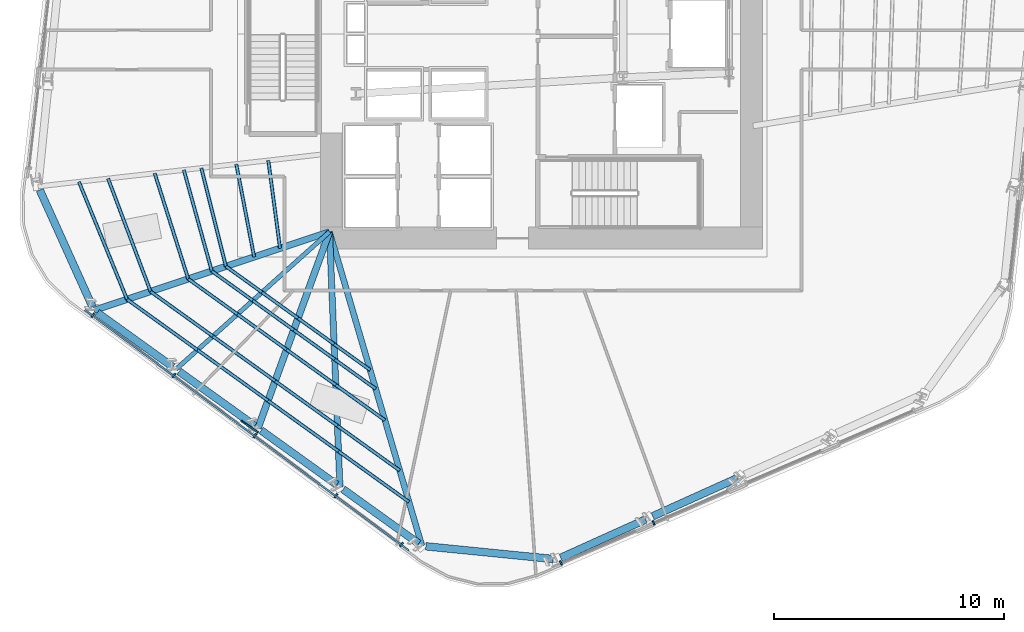
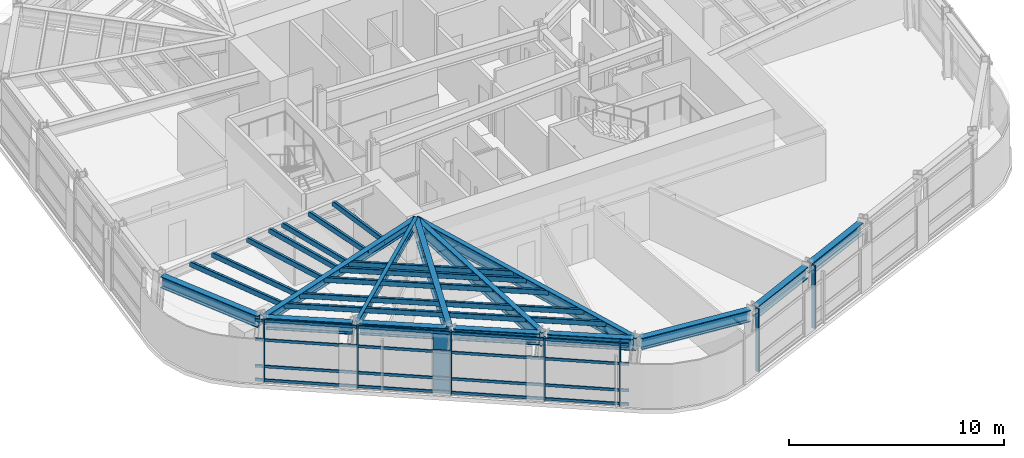
# One storey, part 2 of 16: 39 members, 13 beams, 2 elements without a shape of their own.
"""IFC4 building model written with IfcOpenShell, lengths in metres."""

import ifcopenshell
import ifcopenshell.guid

model = None  # the IFC model being written
_history = None  # IfcOwnerHistory: only IFC2X3 demands one
_inside = {}  # id of a spatial element -> (the spatial element, [elements in it])
_under = {}  # id of a project, library or spatial element -> (it, [spatial elements below it])
_declared = {}  # id of a project -> (the project, [libraries it declares])
_typed = {}  # id of a type object -> (the type object, [elements of that type])
_made_of = {}  # id of a material, layer set ... -> (it, [elements and type objects made of it])


def new_model(schema):
    """Start an empty IFC model of exactly this schema.

    Asked for "IFC4X3", IfcOpenShell would pick the latest addendum, in which some entities
    have other attributes; the version numbers below select the first issue.
    IFC2X3 requires an IfcOwnerHistory on every rooted entity: one is made here for all.
    """
    global model, _history
    if schema == "IFC4X3":
        model = ifcopenshell.file(schema_version=(4, 3, 0, 0))
    else:
        model = ifcopenshell.file(schema=schema)
    _inside.clear()
    _under.clear()
    _declared.clear()
    _typed.clear()
    _made_of.clear()
    _history = None
    if model.schema == "IFC2X3":
        org = make("IfcOrganization", Name="unknown")
        user = make(
            "IfcPersonAndOrganization",
            ThePerson=make("IfcPerson", FamilyName="unknown"),
            TheOrganization=org,
        )
        app = make(
            "IfcApplication",
            ApplicationDeveloper=org,
            Version="unknown",
            ApplicationFullName="unknown",
            ApplicationIdentifier="unknown",
        )
        _history = make(
            "IfcOwnerHistory",
            OwningUser=user,
            OwningApplication=app,
            ChangeAction="ADDED",
            CreationDate=0,
        )
    return model


def make(cls, **values):
    """One entity of the class cls with the attributes given. An attribute that is None is left unset."""
    return model.create_entity(
        cls, **{name: value for name, value in values.items() if value is not None}
    )


def rooted(cls, **values):
    """An entity with a GlobalId (a new one), such as an element, a storey or a relation."""
    return make(cls, GlobalId=ifcopenshell.guid.new(), OwnerHistory=_history, **values)


def si_unit(unit_type, name, prefix=None):
    """IfcSIUnit, for example si_unit("LENGTHUNIT", "METRE", prefix="MILLI")."""
    return make("IfcSIUnit", UnitType=unit_type, Prefix=prefix, Name=name)


def assignment(units):
    """IfcUnitAssignment: the units of a project."""
    return None if units is None else make("IfcUnitAssignment", Units=units)


def point(xyz):
    """IfcCartesianPoint."""
    return None if xyz is None else make("IfcCartesianPoint", Coordinates=xyz)


def direction(xyz):
    """IfcDirection."""
    return None if xyz is None else make("IfcDirection", DirectionRatios=xyz)


def frame(location, z_axis=None, x_axis=None):
    """IfcAxis2Placement3D, a coordinate frame: its origin and axes. An axis left out is left unset."""
    return make(
        "IfcAxis2Placement3D",
        Location=point(location),
        Axis=direction(z_axis),
        RefDirection=direction(x_axis),
    )


def frame_2d(location, x_axis=None):
    """IfcAxis2Placement2D, a coordinate frame in the plane: its origin and x axis."""
    return make(
        "IfcAxis2Placement2D", Location=point(location), RefDirection=direction(x_axis)
    )


def origin():
    """The frame at (0, 0, 0) with its axes left unset."""
    return frame((0.0, 0.0, 0.0))


def origin_2d():
    """The frame at (0, 0) in the plane with its x axis left unset."""
    return frame_2d((0.0, 0.0))


def place(relative_to, where):
    """IfcLocalPlacement: puts the frame where relative to a parent placement (None: the world)."""
    return make(
        "IfcLocalPlacement", PlacementRelTo=relative_to, RelativePlacement=where
    )


def context(
    kind, dimensions, precision=None, world=None, true_north=None, identifier=None
):
    """IfcGeometricRepresentationContext, for example the 3D "Model" context."""
    return make(
        "IfcGeometricRepresentationContext",
        ContextIdentifier=identifier,
        ContextType=kind,
        CoordinateSpaceDimension=dimensions,
        Precision=precision,
        WorldCoordinateSystem=world,
        TrueNorth=true_north,
    )


def subcontext(parent, identifier, kind, view, scale=None):
    """IfcGeometricRepresentationSubContext, for example "Body" below "Model"."""
    return make(
        "IfcGeometricRepresentationSubContext",
        ContextIdentifier=identifier,
        ContextType=kind,
        ParentContext=parent,
        TargetScale=scale,
        TargetView=view,
    )


def project(units=None, contexts=None):
    """IfcProject with its units and contexts."""
    return rooted(
        "IfcProject",
        Name="project",
        RepresentationContexts=contexts,
        UnitsInContext=assignment(units),
    )


def spatial(cls, under=None, at=None, **own):
    """A site, building, storey or space (cls), placed at a placement, below another one or the project."""
    s = rooted(cls, ObjectPlacement=at, **own)
    if under is not None:
        _under.setdefault(under.id(), (under, []))[1].append(s)
    return s


def profile(cls, at=None, kind="AREA", **sizes):
    """A parametric profile (cls). Its sizes go by their IFC names, for example OverallWidth=200.0."""
    return make(cls, ProfileType=kind, Position=at, **sizes)


def rectangle(**sizes):
    """IfcRectangleProfileDef."""
    return profile("IfcRectangleProfileDef", **sizes)


def hollow_rectangle(**sizes):
    """IfcRectangleHollowProfileDef."""
    return profile("IfcRectangleHollowProfileDef", **sizes)


def i_section(**sizes):
    """IfcIShapeProfileDef."""
    return profile("IfcIShapeProfileDef", **sizes)


def extrude(swept, where, along, depth):
    """IfcExtrudedAreaSolid: the profile swept, set in the frame where, extruded along a direction by depth."""
    return make(
        "IfcExtrudedAreaSolid",
        SweptArea=swept,
        Position=where,
        ExtrudedDirection=direction(along),
        Depth=depth,
    )


def shape(context_of_items, identifier, shape_type, items):
    """IfcShapeRepresentation: the items that make up one representation, for example the "Body"."""
    return make(
        "IfcShapeRepresentation",
        ContextOfItems=context_of_items,
        RepresentationIdentifier=identifier,
        RepresentationType=shape_type,
        Items=items,
    )


def material(Name=None, Category=None):
    """IfcMaterial."""
    return make("IfcMaterial", Name=Name, Category=Category)


def layer(
    of_material, thickness, ventilated=None, Name=None, Category=None, Priority=None
):
    """IfcMaterialLayer: one layer of a wall or slab, of a material (None: an air gap)."""
    return make(
        "IfcMaterialLayer",
        Material=of_material,
        LayerThickness=thickness,
        IsVentilated=ventilated,
        Name=Name,
        Category=Category,
        Priority=Priority,
    )


def layer_set(layers, Name=None):
    """IfcMaterialLayerSet."""
    return make("IfcMaterialLayerSet", MaterialLayers=layers, LayerSetName=Name)


def material_profile(
    of_material, cross_section, Name=None, Category=None, Priority=None
):
    """IfcMaterialProfile: a cross section and its material."""
    return make(
        "IfcMaterialProfile",
        Name=Name,
        Material=of_material,
        Profile=cross_section,
        Priority=Priority,
        Category=Category,
    )


def profile_set(profiles, Name=None, composite=None):
    """IfcMaterialProfileSet."""
    return make(
        "IfcMaterialProfileSet",
        Name=Name,
        MaterialProfiles=profiles,
        CompositeProfile=composite,
    )


def made_of(thing, what):
    """Note that an element or type object is made of a material, layer set ...; save() writes the relation."""
    if what is not None:
        _made_of.setdefault(what.id(), (what, []))[1].append(thing)
    return thing


def type_object(cls, material=None, **own):
    """A type object (cls), such as IfcWallType, which elements share."""
    return made_of(rooted(cls, **own), material)


def element(
    cls,
    number,
    at=None,
    inside=None,
    cuts=None,
    type_object=None,
    material=None,
    context=None,
    identifier="Body",
    shape_type=None,
    held_by="IfcProductDefinitionShape",
    body=None,
    shapes=None,
    **own,
):
    """One element of the class cls, such as IfcWall. Its Tag is "e" and its number.

    at: its placement. inside: the storey or other place that contains it. cuts: it is an
    opening in that element (IfcRelVoidsElement). A single representation is given by context,
    identifier, shape_type and body (its items); several are given by shapes. held_by: the class
    of the entity that holds the representations. save() writes the other relations.
    """
    e = rooted(cls, Tag="e%d" % number, ObjectPlacement=at, **own)
    if body is not None:
        shapes = [shape(context, identifier, shape_type, body)]
    if shapes is not None:
        e.Representation = make(held_by, Representations=shapes)
    if inside is not None:
        _inside.setdefault(inside.id(), (inside, []))[1].append(e)
    if cuts is not None:
        rooted(
            "IfcRelVoidsElement", RelatingBuildingElement=cuts, RelatedOpeningElement=e
        )
    if type_object is not None:
        _typed.setdefault(type_object.id(), (type_object, []))[1].append(e)
    return made_of(e, material)


def aggregate(whole, parts):
    """IfcRelAggregates: a whole, such as a stair, and the parts it consists of."""
    return rooted("IfcRelAggregates", RelatingObject=whole, RelatedObjects=parts)


def save(model, path):
    """Write the relations noted so far, then the file.

    IfcRelAggregates (storeys below a building ...), IfcRelContainedInSpatialStructure (elements
    in a storey), IfcRelDefinesByType, IfcRelAssociatesMaterial and IfcRelDeclares: one each for
    every whole, place, type object, material and project.
    """
    for whole, parts in _under.values():
        aggregate(whole, parts)
    for where, things in _inside.values():
        rooted(
            "IfcRelContainedInSpatialStructure",
            RelatedElements=things,
            RelatingStructure=where,
        )
    for kind, things in _typed.values():
        rooted("IfcRelDefinesByType", RelatedObjects=things, RelatingType=kind)
    for what, things in _made_of.values():
        rooted("IfcRelAssociatesMaterial", RelatedObjects=things, RelatingMaterial=what)
    for by, libraries in _declared.values():
        rooted("IfcRelDeclares", RelatingContext=by, RelatedDefinitions=libraries)
    model.write(path)


model = new_model("IFC4")

# Units and contexts
model_context = context("Model", 3, precision=1e-05, world=origin(), true_north=direction((0.0, 1.0)))
body_context = subcontext(model_context, "Body", "Model", "MODEL_VIEW")
ifc_project = project(units=[si_unit("LENGTHUNIT", "METRE"), si_unit("AREAUNIT", "SQUARE_METRE"), si_unit("VOLUMEUNIT", "CUBIC_METRE"), si_unit("PLANEANGLEUNIT", "RADIAN"), si_unit("MASSUNIT", "GRAM", prefix="KILO")], contexts=[model_context])

# Site, building, storey
site_placement = place(None, origin())
site = spatial("IfcSite", under=ifc_project, at=site_placement, CompositionType="ELEMENT")
building_placement = place(site_placement, origin())
building = spatial("IfcBuilding", under=site, at=building_placement, Name="Valkerne Bourse Tower", CompositionType="ELEMENT")
storey_placement = place(building_placement, frame((0.0, 0.0, 123.800048828125)))
storey = spatial("IfcBuildingStorey", under=building, at=storey_placement, Name="L31", CompositionType="ELEMENT", Elevation=123.800048828125)

# Beams
ifc_material_1 = material(Name="Steel ASTM A992", Category="steel")
ifc_material_profile_1 = material_profile(ifc_material_1, i_section(OverallWidth=0.1904296875, OverallDepth=0.457275390625, WebThickness=0.009033203125, FlangeThickness=0.014404296875, FilletRadius=0.01513671875, at=origin_2d()), Name="W18X50")
ifc_profile_set_1 = profile_set([ifc_material_profile_1], Name="Steel ASTM A992")
beam_type_1 = type_object("IfcBeamType", Name="BM-W18X50", PredefinedType="JOIST", material=ifc_profile_set_1)
beam_1_placement = place(storey_placement, frame((30.93505859375, 12.4326171875, 3.351318359375), z_axis=(0.745028578243, 0.667032546133, 0.0), x_axis=(-0.667032546133, 0.745028578243, 0.0)))
element("IfcBeam", 1, at=beam_1_placement, inside=storey, type_object=beam_type_1, Name="L31 Radial Composite Floor Beam 16", PredefinedType="JOIST", context=body_context, shape_type="SweptSolid", body=[
    extrude(i_section(OverallWidth=0.1904296875, OverallDepth=0.457275390625, WebThickness=0.009033203125, FlangeThickness=0.014404296875, FilletRadius=0.01513671875, at=origin_2d()), origin(), (0.0, 0.0, 1.0), 8.946044921875),
])
ifc_material_profile_2 = material_profile(ifc_material_1, i_section(OverallWidth=0.279296875, OverallDepth=0.46240234375, WebThickness=0.0107421875, FlangeThickness=0.017333984375, FilletRadius=0.017822265625, at=origin_2d()), Name="W18X76")
ifc_profile_set_2 = profile_set([ifc_material_profile_2], Name="Steel ASTM A992")
beam_type_2 = type_object("IfcBeamType", Name="BM-W18X76", PredefinedType="BEAM", material=ifc_profile_set_2)
beam_2_placement = place(storey_placement, frame((27.375732421875, 14.990234375, 3.3486328125), z_axis=(0.948640250594, 0.316356879099, 0.0), x_axis=(-0.316356879099, 0.948640250594, 0.0)))
element("IfcBeam", 2, at=beam_2_placement, inside=storey, type_object=beam_type_2, Name="L31 Radial Composite Floor Beam 15", PredefinedType="BEAM", context=body_context, shape_type="SweptSolid", body=[
    extrude(i_section(OverallWidth=0.279296875, OverallDepth=0.46240234375, WebThickness=0.0107421875, FlangeThickness=0.017333984375, FilletRadius=0.017822265625, at=origin_2d()), origin(), (0.0, 0.0, 1.0), 10.77783203125),
])
ifc_material_profile_3 = material_profile(ifc_material_1, i_section(OverallWidth=0.330078125, OverallDepth=0.647705078125, WebThickness=0.0205078125, FlangeThickness=0.037109375, FilletRadius=0.020263671875, at=origin_2d()), Name="W24X192")
ifc_profile_set_3 = profile_set([ifc_material_profile_3], Name="Steel ASTM A992")
beam_type_3 = type_object("IfcBeamType", Name="BM-W24X192", PredefinedType="SPANDREL", material=ifc_profile_set_3)
beam_3_placement = place(storey_placement, frame((25.015869140625, 20.216796875, 3.256103515625), z_axis=(0.411500905158, -0.91140935098, 0.0), x_axis=(0.91140935098, 0.411500905158, 0.0)))
element("IfcBeam", 3, at=beam_3_placement, inside=storey, type_object=beam_type_3, Name="L31 Hexagonal Spandrel Ring Beam 14", PredefinedType="SPANDREL", context=body_context, shape_type="SweptSolid", body=[
    extrude(i_section(OverallWidth=0.330078125, OverallDepth=0.647705078125, WebThickness=0.0205078125, FlangeThickness=0.037109375, FilletRadius=0.020263671875, at=origin_2d()), origin(), (0.0, 0.0, 1.0), 5.564453125),
])
beam_4_placement = place(storey_placement, frame((27.513916015625, 14.89111328125, 3.256103515625), z_axis=(0.812094066308, -0.583526543927, 0.0), x_axis=(0.583526543927, 0.812094066308, 0.0)))
element("IfcBeam", 4, at=beam_4_placement, inside=storey, type_object=beam_type_3, Name="L31 Hexagonal Spandrel Ring Beam 15", PredefinedType="SPANDREL", context=body_context, shape_type="SweptSolid", body=[
    extrude(i_section(OverallWidth=0.330078125, OverallDepth=0.647705078125, WebThickness=0.0205078125, FlangeThickness=0.037109375, FilletRadius=0.020263671875, at=origin_2d()), origin(), (0.0, 0.0, 1.0), 4.04296875),
])
beam_5_placement = place(storey_placement, frame((31.0732421875, 12.33349609375, 3.256103515625), z_axis=(0.812044884092, -0.583594984745, 0.0), x_axis=(0.583594984745, 0.812044884092, 0.0)))
element("IfcBeam", 5, at=beam_5_placement, inside=storey, type_object=beam_type_3, Name="L31 Hexagonal Spandrel Ring Beam 16", PredefinedType="SPANDREL", context=body_context, shape_type="SweptSolid", body=[
    extrude(i_section(OverallWidth=0.330078125, OverallDepth=0.647705078125, WebThickness=0.0205078125, FlangeThickness=0.037109375, FilletRadius=0.020263671875, at=origin_2d()), origin(), (0.0, 0.0, 1.0), 4.042724609375),
])
for number, where, z_axis, x_axis, name in (
    (6, (34.632568359375, 9.77587890625, 3.256103515625), (0.812065449901, -0.583566367329, 0.0), (0.583566367329, 0.812065449901, 0.0), "L31 Hexagonal Spandrel Ring Beam 17"),
    (7, (38.19189453125, 7.218017578125, 3.256103515625), (0.812094066308, -0.583526543927, 0.0), (0.583526543927, 0.812094066308, 0.0), "L31 Hexagonal Spandrel Ring Beam 18"),
):
    element("IfcBeam", number, at=place(storey_placement, frame(where, z_axis=z_axis, x_axis=x_axis)), inside=storey, type_object=beam_type_3, Name=name, PredefinedType="SPANDREL", context=body_context, shape_type="SweptSolid", body=[
        extrude(i_section(OverallWidth=0.330078125, OverallDepth=0.647705078125, WebThickness=0.0205078125, FlangeThickness=0.037109375, FilletRadius=0.020263671875, at=origin_2d()), origin(), (0.0, 0.0, 1.0), 4.04296875),
    ])
beam_6_placement = place(storey_placement, frame((41.782470703125, 4.742919921875, 3.256103515625), z_axis=(0.99505411784, -0.09933429705, 0.0), x_axis=(0.09933429705, 0.99505411784, 0.0)))
element("IfcBeam", 8, at=beam_6_placement, inside=storey, type_object=beam_type_3, Name="L31 Hexagonal Spandrel Ring Beam 19", PredefinedType="SPANDREL", context=body_context, shape_type="SweptSolid", body=[
    extrude(i_section(OverallWidth=0.330078125, OverallDepth=0.647705078125, WebThickness=0.0205078125, FlangeThickness=0.037109375, FilletRadius=0.020263671875, at=origin_2d()), origin(), (0.0, 0.0, 1.0), 5.564453125),
])
beam_7_placement = place(storey_placement, frame((47.643310546875, 4.2431640625, 3.256103515625), z_axis=(0.911407858534, 0.411504210674, 0.0), x_axis=(-0.411504210674, 0.911407858534, 0.0)))
element("IfcBeam", 9, at=beam_7_placement, inside=storey, type_object=beam_type_3, Name="L31 Hexagonal Spandrel Ring Beam 20", PredefinedType="SPANDREL", context=body_context, shape_type="SweptSolid", body=[
    extrude(i_section(OverallWidth=0.330078125, OverallDepth=0.647705078125, WebThickness=0.0205078125, FlangeThickness=0.037109375, FilletRadius=0.020263671875, at=origin_2d()), origin(), (0.0, 0.0, 1.0), 4.043212890625),
])
beam_8_placement = place(storey_placement, frame((51.63818359375, 6.046875, 3.256103515625), z_axis=(0.911397632839, 0.411526858, 0.0), x_axis=(-0.411526858, 0.911397632839, 0.0)))
element("IfcBeam", 10, at=beam_8_placement, inside=storey, type_object=beam_type_3, Name="L31 Hexagonal Spandrel Ring Beam 21", PredefinedType="SPANDREL", context=body_context, shape_type="SweptSolid", body=[
    extrude(i_section(OverallWidth=0.330078125, OverallDepth=0.647705078125, WebThickness=0.0205078125, FlangeThickness=0.037109375, FilletRadius=0.020263671875, at=origin_2d()), origin(), (0.0, 0.0, 1.0), 4.04296875),
])
ifc_material_profile_4 = material_profile(ifc_material_1, i_section(OverallWidth=0.255859375, OverallDepth=0.693359375, WebThickness=0.014404296875, FlangeThickness=0.023681640625, FilletRadius=0.02294921875, at=origin_2d()), Name="W27X114")
ifc_profile_set_4 = profile_set([ifc_material_profile_4], Name="Steel ASTM A992")
beam_type_4 = type_object("IfcBeamType", Name="BM-W27X114", PredefinedType="BEAM", material=ifc_profile_set_4)
beam_9_placement = place(storey_placement, frame((41.61328125, 4.759765625, 3.233154296875), z_axis=(-0.282255567802, 0.959339248882, 0.0), x_axis=(-0.959339248882, -0.282255567802, 0.0)))
element("IfcBeam", 11, at=beam_9_placement, inside=storey, type_object=beam_type_4, Name="L31 Radial Composite Floor Beam 19", PredefinedType="BEAM", context=body_context, shape_type="SweptSolid", body=[
    extrude(i_section(OverallWidth=0.255859375, OverallDepth=0.693359375, WebThickness=0.014404296875, FlangeThickness=0.023681640625, FilletRadius=0.02294921875, at=origin_2d()), origin(), (0.0, 0.0, 1.0), 14.21826171875),
])
ifc_material_profile_5 = material_profile(ifc_material_1, i_section(OverallWidth=0.26806640625, OverallDepth=0.76953125, WebThickness=0.015625, FlangeThickness=0.025390625, FilletRadius=0.025390625, at=origin_2d()), Name="W30X132")
ifc_profile_set_5 = profile_set([ifc_material_profile_5], Name="Steel ASTM A992")
beam_type_5 = type_object("IfcBeamType", Name="BM-W30X132", PredefinedType="BEAM", material=ifc_profile_set_5)
beam_10_placement = place(storey_placement, frame((38.0537109375, 7.3173828125, 3.195068359375), z_axis=(-0.04089627687, 0.999163397317, 0.0), x_axis=(-0.999163397317, -0.04089627687, 0.0)))
element("IfcBeam", 12, at=beam_10_placement, inside=storey, type_object=beam_type_5, Name="L31 Radial Composite Floor Beam 18", PredefinedType="BEAM", context=body_context, shape_type="SweptSolid", body=[
    extrude(i_section(OverallWidth=0.26806640625, OverallDepth=0.76953125, WebThickness=0.015625, FlangeThickness=0.025390625, FilletRadius=0.025390625, at=origin_2d()), origin(), (0.0, 0.0, 1.0), 11.091796875),
])
ifc_material_profile_6 = material_profile(ifc_material_1, i_section(OverallWidth=0.2919921875, OverallDepth=0.8583984375, WebThickness=0.01708984375, FlangeThickness=0.031005859375, FilletRadius=0.025390625, at=origin_2d()), Name="W33X169")
ifc_profile_set_6 = profile_set([ifc_material_profile_6], Name="Steel ASTM A992")
beam_type_6 = type_object("IfcBeamType", Name="BM-W33X169", PredefinedType="BEAM", material=ifc_profile_set_6)
beam_11_placement = place(storey_placement, frame((34.494384765625, 9.875, 3.150634765625), z_axis=(0.342302580728, 0.939589773905, 0.0), x_axis=(-0.939589773905, 0.342302580728, 0.0)))
element("IfcBeam", 13, at=beam_11_placement, inside=storey, type_object=beam_type_6, Name="L31 Radial Composite Floor Beam 17", PredefinedType="BEAM", context=body_context, shape_type="SweptSolid", body=[
    extrude(i_section(OverallWidth=0.2919921875, OverallDepth=0.8583984375, WebThickness=0.01708984375, FlangeThickness=0.031005859375, FilletRadius=0.025390625, at=origin_2d()), origin(), (0.0, 0.0, 1.0), 9.072998046875),
])

# Curtain wall, members
ifc_material_2 = material(Name="Aluminium AA 6063-T6", Category="aluminium")
ifc_layer = layer(ifc_material_2, 0.22998046875)
ifc_layer_set = layer_set([ifc_layer], Name="Aluminium AA 6063-T6")
curtain_wall_type = type_object("IfcCurtainWallType", Name="CW-02", PredefinedType="NOTDEFINED", material=ifc_layer_set)
curtain_wall_1_placement = place(storey_placement, origin())
curtain_wall_1 = element("IfcCurtainWall", 14, at=curtain_wall_1_placement, inside=storey, type_object=curtain_wall_type, Name="L31 Hexagonal Stick Curtain Wall Face 4", PredefinedType="NOTDEFINED")
ifc_material_profile_7 = material_profile(ifc_material_2, rectangle(XDim=0.074951171875, YDim=0.199951171875, at=origin_2d()), Name="CWM-75X200")
ifc_profile_set_7 = profile_set([ifc_material_profile_7], Name="Aluminium AA 6063-T6")
member_type_1 = type_object("IfcMemberType", Name="CW-MUL-220X75", PredefinedType="MULLION", material=ifc_profile_set_7)
member_1_placement = place(storey_placement, frame((27.323974609375, 14.7734375, 0.0), z_axis=(0.0, 0.0, 1.0), x_axis=(0.802819358075, -0.596222339652, 0.0)))
member_1 = element("IfcMember", 15, at=member_1_placement, type_object=member_type_1, Name="CW-L31-F4 Jamb Mullion 00A", PredefinedType="MULLION", context=body_context, shape_type="SweptSolid", body=[
    extrude(rectangle(XDim=0.074951171875, YDim=0.199951171875, at=origin_2d()), origin(), (0.0, 0.0, 1.0), 3.579833984375),
])
member_2_placement = place(storey_placement, frame((30.8427734375, 12.160400390625, 0.0), z_axis=(0.0, 0.0, 1.0), x_axis=(0.802816547758, -0.596226123753, 0.0)))
member_2 = element("IfcMember", 16, at=member_2_placement, type_object=member_type_1, Name="CW-L31-F4 Jamb Mullion 01A", PredefinedType="MULLION", context=body_context, shape_type="SweptSolid", body=[
    extrude(rectangle(XDim=0.074951171875, YDim=0.199951171875, at=origin_2d()), origin(), (0.0, 0.0, 1.0), 3.579833984375),
])
member_3_placement = place(storey_placement, frame((34.361572265625, 9.547119140625, 0.0), z_axis=(0.0, 0.0, 1.0), x_axis=(0.802819358075, -0.596222339652, 0.0)))
member_3 = element("IfcMember", 17, at=member_3_placement, type_object=member_type_1, Name="CW-L31-F4 Jamb Mullion 02A", PredefinedType="MULLION", context=body_context, shape_type="SweptSolid", body=[
    extrude(rectangle(XDim=0.074951171875, YDim=0.199951171875, at=origin_2d()), origin(), (0.0, 0.0, 1.0), 3.579833984375),
])
member_4_placement = place(storey_placement, frame((37.880126953125, 6.933837890625, 0.0), z_axis=(0.0, 0.0, 1.0), x_axis=(0.802816547758, -0.596226123753, 0.0)))
member_4 = element("IfcMember", 18, at=member_4_placement, type_object=member_type_1, Name="CW-L31-F4 Jamb Mullion 03A", PredefinedType="MULLION", context=body_context, shape_type="SweptSolid", body=[
    extrude(rectangle(XDim=0.074951171875, YDim=0.199951171875, at=origin_2d()), origin(), (0.0, 0.0, 1.0), 3.579833984375),
])
member_5_placement = place(storey_placement, frame((40.724609375, 4.8212890625, 0.0), z_axis=(0.0, 0.0, 1.0), x_axis=(0.802816547758, -0.596226123753, 0.0)))
member_5 = element("IfcMember", 19, at=member_5_placement, type_object=member_type_1, Name="CW-L31-F4 Jamb Mullion 03B", PredefinedType="MULLION", context=body_context, shape_type="SweptSolid", body=[
    extrude(rectangle(XDim=0.074951171875, YDim=0.199951171875, at=origin_2d()), origin(), (0.0, 0.0, 1.0), 3.579833984375),
])

curtain_wall_2_placement = place(storey_placement, origin())
curtain_wall_2 = element("IfcCurtainWall", 20, at=curtain_wall_2_placement, inside=storey, type_object=curtain_wall_type, Name="L31 Hexagonal Stick Curtain Wall Face 5", PredefinedType="NOTDEFINED")
member_6_placement = place(storey_placement, frame((47.650390625, 4.02001953125, 0.0), z_axis=(0.0, 0.0, 1.0), x_axis=(0.917762208724, 0.397130366805, 0.0)))
member_6 = element("IfcMember", 21, at=member_6_placement, type_object=member_type_1, Name="CW-L31-F5 Jamb Mullion 00A", PredefinedType="MULLION", context=body_context, shape_type="SweptSolid", body=[
    extrude(rectangle(XDim=0.074951171875, YDim=0.199951171875, at=origin_2d()), origin(), (0.0, 0.0, 1.0), 3.579833984375),
])
member_7_placement = place(storey_placement, frame((51.6728515625, 5.7607421875, 0.0), z_axis=(0.0, 0.0, 1.0), x_axis=(0.917753892922, 0.397149583944, 0.0)))
member_7 = element("IfcMember", 22, at=member_7_placement, type_object=member_type_1, Name="CW-L31-F5 Jamb Mullion 01A", PredefinedType="MULLION", context=body_context, shape_type="SweptSolid", body=[
    extrude(rectangle(XDim=0.074951171875, YDim=0.199951171875, at=origin_2d()), origin(), (0.0, 0.0, 1.0), 3.579833984375),
])
aggregate(curtain_wall_2, [member_6, member_7])

# Member
ifc_material_profile_8 = material_profile(ifc_material_2, rectangle(XDim=0.074951171875, YDim=0.14990234375, at=origin_2d()), Name="CWT-75X150")
ifc_profile_set_8 = profile_set([ifc_material_profile_8], Name="Aluminium AA 6063-T6")
member_type_2 = type_object("IfcMemberType", Name="CW-TRN-180X65", PredefinedType="USERDEFINED", material=ifc_profile_set_8)
member_8_placement = place(storey_placement, frame((26.974853515625, 15.0078125, 0.119873046875), z_axis=(0.802820215638, -0.596221184933, 0.0), x_axis=(0.596221184933, 0.802820215638, 0.0)))
member_8 = element("IfcMember", 23, at=member_8_placement, type_object=member_type_2, Name="CW-L31-F4 Continuous Face Transom 1", ObjectType="TRANSOM", PredefinedType="USERDEFINED", context=body_context, shape_type="SweptSolid", body=[
    extrude(rectangle(XDim=0.074951171875, YDim=0.14990234375, at=origin_2d()), origin(), (0.0, 0.0, 1.0), 17.531982421875),
])

member_9_placement = place(storey_placement, frame((26.974853515625, 15.0078125, 0.89990234375), z_axis=(0.802820215638, -0.596221184933, 0.0), x_axis=(0.596221184933, 0.802820215638, 0.0)))
member_9 = element("IfcMember", 24, at=member_9_placement, type_object=member_type_2, Name="CW-L31-F4 Continuous Face Transom 2", ObjectType="TRANSOM", PredefinedType="USERDEFINED", context=body_context, shape_type="SweptSolid", body=[
    extrude(rectangle(XDim=0.074951171875, YDim=0.14990234375, at=origin_2d()), origin(), (0.0, 0.0, 1.0), 17.531982421875),
])

member_10_placement = place(storey_placement, frame((26.974853515625, 15.0078125, 2.39990234375), z_axis=(0.802820215638, -0.596221184933, 0.0), x_axis=(0.596221184933, 0.802820215638, 0.0)))
member_10 = element("IfcMember", 25, at=member_10_placement, type_object=member_type_2, Name="CW-L31-F4 Continuous Face Transom 3", ObjectType="TRANSOM", PredefinedType="USERDEFINED", context=body_context, shape_type="SweptSolid", body=[
    extrude(rectangle(XDim=0.074951171875, YDim=0.14990234375, at=origin_2d()), origin(), (0.0, 0.0, 1.0), 17.531982421875),
])

member_11_placement = place(storey_placement, frame((26.974853515625, 15.0078125, 3.5), z_axis=(0.802820215638, -0.596221184933, 0.0), x_axis=(0.596221184933, 0.802820215638, 0.0)))
member_11 = element("IfcMember", 26, at=member_11_placement, type_object=member_type_2, Name="CW-L31-F4 Continuous Face Transom 4", ObjectType="TRANSOM", PredefinedType="USERDEFINED", context=body_context, shape_type="SweptSolid", body=[
    extrude(rectangle(XDim=0.074951171875, YDim=0.14990234375, at=origin_2d()), origin(), (0.0, 0.0, 1.0), 17.531982421875),
])

aggregate(curtain_wall_1, [member_8, member_9, member_10, member_11, member_1, member_2, member_3, member_4, member_5])

# Members
ifc_material_3 = material(Name="Bronze Anodised Aluminium AA 6063-T6", Category="aluminium")
ifc_material_profile_9 = material_profile(ifc_material_3, rectangle(XDim=0.070068359375, YDim=0.89990234375, at=origin_2d()), Name="FIN-70X900")
ifc_profile_set_9 = profile_set([ifc_material_profile_9], Name="Bronze Anodised Aluminium AA 6063-T6")
member_type_3 = type_object("IfcMemberType", Name="FIN-SOLAR-900", PredefinedType="USERDEFINED", material=ifc_profile_set_9)
member_12_placement = place(storey_placement, frame((34.131591796875, 9.94189453125, 0.00390625), z_axis=(0.0, 0.0, 1.0), x_axis=(-0.561978978894, -0.827151514102, 0.0)))
element("IfcMember", 27, at=member_12_placement, inside=storey, type_object=member_type_3, Name="L31 Bronze Anodised Solar Fin F4-02", ObjectType="SOLAR_FIN", PredefinedType="USERDEFINED", context=body_context, shape_type="SweptSolid", body=[
    extrude(rectangle(XDim=0.070068359375, YDim=0.89990234375, at=origin_2d()), origin(), (0.0, 0.0, 1.0), 3.572021484375),
])
ifc_material_4 = material(Name="Steel ASTM A500 Grade C", Category="steel")
ifc_material_profile_10 = material_profile(ifc_material_4, hollow_rectangle(XDim=0.14990234375, YDim=0.300048828125, WallThickness=0.012451171875, OuterFilletRadius=0.02490234375, at=origin_2d()), Name="HSS300X150X12.5")
ifc_profile_set_10 = profile_set([ifc_material_profile_10], Name="Steel ASTM A500 Grade C")
member_type_4 = type_object("IfcMemberType", Name="MBR-HSS300X150X12.5", PredefinedType="PURLIN", material=ifc_profile_set_10)
member_13_placement = place(storey_placement, frame((33.55078125, 21.343017578125, 3.419921875), z_axis=(0.189208846944, -0.981936867746, 0.0), x_axis=(0.981936867746, 0.189208846944, 0.0)))
element("IfcMember", 28, at=member_13_placement, inside=storey, type_object=member_type_4, Name="L31 Secondary Composite Floor Purlin I-14", PredefinedType="PURLIN", context=body_context, shape_type="SweptSolid", body=[
    extrude(hollow_rectangle(XDim=0.14990234375, YDim=0.300048828125, WallThickness=0.012451171875, OuterFilletRadius=0.02490234375, at=origin_2d()), origin(), (0.0, 0.0, 1.0), 4.1083984375),
])
member_14_placement = place(storey_placement, frame((32.0322265625, 21.171630859375, 3.419921875), z_axis=(0.242770421344, -0.970083770878, 0.0), x_axis=(0.970083770878, 0.242770421344, 0.0)))
element("IfcMember", 29, at=member_14_placement, inside=storey, type_object=member_type_4, Name="L31 Secondary Composite Floor Purlin K-14", PredefinedType="PURLIN", context=body_context, shape_type="SweptSolid", body=[
    extrude(hollow_rectangle(XDim=0.14990234375, YDim=0.300048828125, WallThickness=0.012451171875, OuterFilletRadius=0.02490234375, at=origin_2d()), origin(), (0.0, 0.0, 1.0), 4.40380859375),
])
for number, where, z_axis, x_axis, name in (
    (30, (33.101318359375, 16.899658203125, 3.419921875), (0.81212222777, -0.583487349617, 0.0), (0.583487349617, 0.81212222777, 0.0), "L31 Secondary Composite Floor Purlin K-15"),
    (31, (34.66748046875, 15.7744140625, 3.419921875), (0.81201912126, -0.58363083084, 0.0), (0.58363083084, 0.81201912126, 0.0), "L31 Secondary Composite Floor Purlin K-16"),
):
    element("IfcMember", number, at=place(storey_placement, frame(where, z_axis=z_axis, x_axis=x_axis)), inside=storey, type_object=member_type_4, Name=name, PredefinedType="PURLIN", context=body_context, shape_type="SweptSolid", body=[
        extrude(hollow_rectangle(XDim=0.14990234375, YDim=0.300048828125, WallThickness=0.012451171875, OuterFilletRadius=0.02490234375, at=origin_2d()), origin(), (0.0, 0.0, 1.0), 1.928466796875),
    ])
member_15_placement = place(storey_placement, frame((36.2333984375, 14.64892578125, 3.419921875), z_axis=(0.812165322151, -0.583427364369, 0.0), x_axis=(0.583427364369, 0.812165322151, 0.0)))
element("IfcMember", 32, at=member_15_placement, inside=storey, type_object=member_type_4, Name="L31 Secondary Composite Floor Purlin K-17", PredefinedType="PURLIN", context=body_context, shape_type="SweptSolid", body=[
    extrude(hollow_rectangle(XDim=0.14990234375, YDim=0.300048828125, WallThickness=0.012451171875, OuterFilletRadius=0.02490234375, at=origin_2d()), origin(), (0.0, 0.0, 1.0), 1.9287109375),
])
member_16_placement = place(storey_placement, frame((37.7998046875, 13.523681640625, 3.419921875), z_axis=(0.81201912126, -0.58363083084, 0.0), x_axis=(0.58363083084, 0.81201912126, 0.0)))
element("IfcMember", 33, at=member_16_placement, inside=storey, type_object=member_type_4, Name="L31 Secondary Composite Floor Purlin K-18", PredefinedType="PURLIN", context=body_context, shape_type="SweptSolid", body=[
    extrude(hollow_rectangle(XDim=0.14990234375, YDim=0.300048828125, WallThickness=0.012451171875, OuterFilletRadius=0.02490234375, at=origin_2d()), origin(), (0.0, 0.0, 1.0), 1.928466796875),
])
member_17_placement = place(storey_placement, frame((31.27294921875, 21.0859375, 3.419921875), z_axis=(0.266657017059, -0.963791489511, 0.0), x_axis=(0.963791489511, 0.266657017059, 0.0)))
element("IfcMember", 34, at=member_17_placement, inside=storey, type_object=member_type_4, Name="L31 Secondary Composite Floor Purlin M-14", PredefinedType="PURLIN", context=body_context, shape_type="SweptSolid", body=[
    extrude(hollow_rectangle(XDim=0.14990234375, YDim=0.300048828125, WallThickness=0.012451171875, OuterFilletRadius=0.02490234375, at=origin_2d()), origin(), (0.0, 0.0, 1.0), 4.555908203125),
])
member_18_placement = place(storey_placement, frame((32.48779296875, 16.695068359375, 3.419921875), z_axis=(0.81210445302, -0.583512088466, 0.0), x_axis=(0.583512088466, 0.81210445302, 0.0)))
element("IfcMember", 35, at=member_18_placement, inside=storey, type_object=member_type_4, Name="L31 Secondary Composite Floor Purlin M-15", PredefinedType="PURLIN", context=body_context, shape_type="SweptSolid", body=[
    extrude(hollow_rectangle(XDim=0.14990234375, YDim=0.300048828125, WallThickness=0.012451171875, OuterFilletRadius=0.02490234375, at=origin_2d()), origin(), (0.0, 0.0, 1.0), 2.191650390625),
])
member_19_placement = place(storey_placement, frame((34.267578125, 15.416259765625, 3.419921875), z_axis=(0.812066517764, -0.583564881334, 0.0), x_axis=(0.583564881334, 0.812066517764, 0.0)))
element("IfcMember", 36, at=member_19_placement, inside=storey, type_object=member_type_4, Name="L31 Secondary Composite Floor Purlin M-16", PredefinedType="PURLIN", context=body_context, shape_type="SweptSolid", body=[
    extrude(hollow_rectangle(XDim=0.14990234375, YDim=0.300048828125, WallThickness=0.012451171875, OuterFilletRadius=0.02490234375, at=origin_2d()), origin(), (0.0, 0.0, 1.0), 2.19140625),
])
for number, where, z_axis, x_axis, name in (
    (37, (36.047119140625, 14.137451171875, 3.419921875), (0.81210445302, -0.583512088466, 0.0), (0.583512088466, 0.81210445302, 0.0), "L31 Secondary Composite Floor Purlin M-17"),
    (38, (37.826904296875, 12.858642578125, 3.419921875), (0.81210445302, -0.583512088466, 0.0), (0.583512088466, 0.81210445302, 0.0), "L31 Secondary Composite Floor Purlin M-18"),
):
    element("IfcMember", number, at=place(storey_placement, frame(where, z_axis=z_axis, x_axis=x_axis)), inside=storey, type_object=member_type_4, Name=name, PredefinedType="PURLIN", context=body_context, shape_type="SweptSolid", body=[
        extrude(hollow_rectangle(XDim=0.14990234375, YDim=0.300048828125, WallThickness=0.012451171875, OuterFilletRadius=0.02490234375, at=origin_2d()), origin(), (0.0, 0.0, 1.0), 2.191650390625),
    ])
member_20_placement = place(storey_placement, frame((27.98291015625, 20.714599609375, 3.419921875), z_axis=(0.352281767733, -0.935893987652, 0.0), x_axis=(0.935893987652, 0.352281767733, 0.0)))
element("IfcMember", 39, at=member_20_placement, inside=storey, type_object=member_type_4, Name="L31 Secondary Composite Floor Purlin O-14", PredefinedType="PURLIN", context=body_context, shape_type="SweptSolid", body=[
    extrude(hollow_rectangle(XDim=0.14990234375, YDim=0.300048828125, WallThickness=0.012451171875, OuterFilletRadius=0.02490234375, at=origin_2d()), origin(), (0.0, 0.0, 1.0), 5.241943359375),
])
member_21_placement = place(storey_placement, frame((29.82958984375, 15.80859375, 3.419921875), z_axis=(0.812110884934, -0.583503136729, 0.0), x_axis=(0.583503136729, 0.812110884934, 0.0)))
element("IfcMember", 40, at=member_21_placement, inside=storey, type_object=member_type_4, Name="L31 Secondary Composite Floor Purlin O-15", PredefinedType="PURLIN", context=body_context, shape_type="SweptSolid", body=[
    extrude(hollow_rectangle(XDim=0.14990234375, YDim=0.300048828125, WallThickness=0.012451171875, OuterFilletRadius=0.02490234375, at=origin_2d()), origin(), (0.0, 0.0, 1.0), 3.330810546875),
])
member_22_placement = place(storey_placement, frame((32.53466796875, 13.864990234375, 3.419921875), z_axis=(0.812041420433, -0.583599804233, 0.0), x_axis=(0.583599804233, 0.812041420433, 0.0)))
element("IfcMember", 41, at=member_22_placement, inside=storey, type_object=member_type_4, Name="L31 Secondary Composite Floor Purlin O-16", PredefinedType="PURLIN", context=body_context, shape_type="SweptSolid", body=[
    extrude(hollow_rectangle(XDim=0.14990234375, YDim=0.300048828125, WallThickness=0.012451171875, OuterFilletRadius=0.02490234375, at=origin_2d()), origin(), (0.0, 0.0, 1.0), 3.331298828125),
])
member_23_placement = place(storey_placement, frame((35.23974609375, 11.9208984375, 3.419921875), z_axis=(0.812076152636, -0.583551473582, 0.0), x_axis=(0.583551473582, 0.812076152636, 0.0)))
element("IfcMember", 42, at=member_23_placement, inside=storey, type_object=member_type_4, Name="L31 Secondary Composite Floor Purlin O-17", PredefinedType="PURLIN", context=body_context, shape_type="SweptSolid", body=[
    extrude(hollow_rectangle(XDim=0.14990234375, YDim=0.300048828125, WallThickness=0.012451171875, OuterFilletRadius=0.02490234375, at=origin_2d()), origin(), (0.0, 0.0, 1.0), 3.3310546875),
])
member_24_placement = place(storey_placement, frame((37.94482421875, 9.97705078125, 3.419921875), z_axis=(0.812110884934, -0.583503136729, 0.0), x_axis=(0.583503136729, 0.812110884934, 0.0)))
element("IfcMember", 43, at=member_24_placement, inside=storey, type_object=member_type_4, Name="L31 Secondary Composite Floor Purlin O-18", PredefinedType="PURLIN", context=body_context, shape_type="SweptSolid", body=[
    extrude(hollow_rectangle(XDim=0.14990234375, YDim=0.300048828125, WallThickness=0.012451171875, OuterFilletRadius=0.02490234375, at=origin_2d()), origin(), (0.0, 0.0, 1.0), 3.330810546875),
])
member_25_placement = place(storey_placement, frame((30.007568359375, 20.943115234375, 3.419921875), z_axis=(0.302764111658, -0.953065523819, 0.0), x_axis=(0.953065523819, 0.302764111658, 0.0)))
element("IfcMember", 44, at=member_25_placement, inside=storey, type_object=member_type_4, Name="L31 Secondary Composite Floor Purlin Z-14", PredefinedType="PURLIN", context=body_context, shape_type="SweptSolid", body=[
    extrude(hollow_rectangle(XDim=0.14990234375, YDim=0.300048828125, WallThickness=0.012451171875, OuterFilletRadius=0.02490234375, at=origin_2d()), origin(), (0.0, 0.0, 1.0), 4.81494140625),
])
member_26_placement = place(storey_placement, frame((31.46533203125, 16.354248046875, 3.419921875), z_axis=(0.81208685659, -0.583536577563, 0.0), x_axis=(0.583536577563, 0.81208685659, 0.0)))
element("IfcMember", 45, at=member_26_placement, inside=storey, type_object=member_type_4, Name="L31 Secondary Composite Floor Purlin Z-15", PredefinedType="PURLIN", context=body_context, shape_type="SweptSolid", body=[
    extrude(hollow_rectangle(XDim=0.14990234375, YDim=0.300048828125, WallThickness=0.012451171875, OuterFilletRadius=0.02490234375, at=origin_2d()), origin(), (0.0, 0.0, 1.0), 2.6298828125),
])
member_27_placement = place(storey_placement, frame((33.60107421875, 14.819580078125, 3.419921875), z_axis=(0.812055242623, -0.583580571068, 0.0), x_axis=(0.583580571068, 0.812055242623, 0.0)))
element("IfcMember", 46, at=member_27_placement, inside=storey, type_object=member_type_4, Name="L31 Secondary Composite Floor Purlin Z-16", PredefinedType="PURLIN", context=body_context, shape_type="SweptSolid", body=[
    extrude(hollow_rectangle(XDim=0.14990234375, YDim=0.300048828125, WallThickness=0.012451171875, OuterFilletRadius=0.02490234375, at=origin_2d()), origin(), (0.0, 0.0, 1.0), 2.629638671875),
])
member_28_placement = place(storey_placement, frame((35.736572265625, 13.284912109375, 3.419921875), z_axis=(0.812130847709, -0.583475351835, 0.0), x_axis=(0.583475351835, 0.812130847709, 0.0)))
element("IfcMember", 47, at=member_28_placement, inside=storey, type_object=member_type_4, Name="L31 Secondary Composite Floor Purlin Z-17", PredefinedType="PURLIN", context=body_context, shape_type="SweptSolid", body=[
    extrude(hollow_rectangle(XDim=0.14990234375, YDim=0.300048828125, WallThickness=0.012451171875, OuterFilletRadius=0.02490234375, at=origin_2d()), origin(), (0.0, 0.0, 1.0), 2.6298828125),
])
member_29_placement = place(storey_placement, frame((37.872314453125, 11.75048828125, 3.419921875), z_axis=(0.812055242623, -0.583580571068, 0.0), x_axis=(0.583580571068, 0.812055242623, 0.0)))
element("IfcMember", 48, at=member_29_placement, inside=storey, type_object=member_type_4, Name="L31 Secondary Composite Floor Purlin Z-18", PredefinedType="PURLIN", context=body_context, shape_type="SweptSolid", body=[
    extrude(hollow_rectangle(XDim=0.14990234375, YDim=0.300048828125, WallThickness=0.012451171875, OuterFilletRadius=0.02490234375, at=origin_2d()), origin(), (0.0, 0.0, 1.0), 2.629638671875),
])
member_30_placement = place(storey_placement, frame((34.942626953125, 21.5, 3.419921875), z_axis=(0.132537555156, -0.991177984256, 0.0), x_axis=(0.991177984256, 0.132537555156, 0.0)))
element("IfcMember", 49, at=member_30_placement, inside=storey, type_object=member_type_4, Name="L31 Secondary Composite Floor Purlin S-14", PredefinedType="PURLIN", context=body_context, shape_type="SweptSolid", body=[
    extrude(hollow_rectangle(XDim=0.14990234375, YDim=0.300048828125, WallThickness=0.012451171875, OuterFilletRadius=0.02490234375, at=origin_2d()), origin(), (0.0, 0.0, 1.0), 3.849853515625),
])
member_31_placement = place(storey_placement, frame((26.717529296875, 20.57177734375, 3.419921875), z_axis=(0.378881040561, -0.925445383101, 0.0), x_axis=(0.925445383101, 0.378881040561, 0.0)))
element("IfcMember", 50, at=member_31_placement, inside=storey, type_object=member_type_4, Name="L31 Secondary Composite Floor Purlin T-14", PredefinedType="PURLIN", context=body_context, shape_type="SweptSolid", body=[
    extrude(hollow_rectangle(XDim=0.14990234375, YDim=0.300048828125, WallThickness=0.012451171875, OuterFilletRadius=0.02490234375, at=origin_2d()), origin(), (0.0, 0.0, 1.0), 5.51513671875),
])
member_32_placement = place(storey_placement, frame((28.80712890625, 15.4677734375, 3.419921875), z_axis=(0.812067166244, -0.583563978933, 0.0), x_axis=(0.583563978933, 0.812067166244, 0.0)))
element("IfcMember", 51, at=member_32_placement, inside=storey, type_object=member_type_4, Name="L31 Secondary Composite Floor Purlin T-15", PredefinedType="PURLIN", context=body_context, shape_type="SweptSolid", body=[
    extrude(hollow_rectangle(XDim=0.14990234375, YDim=0.300048828125, WallThickness=0.012451171875, OuterFilletRadius=0.02490234375, at=origin_2d()), origin(), (0.0, 0.0, 1.0), 3.76953125),
])
member_33_placement = place(storey_placement, frame((31.8681640625, 13.26806640625, 3.419921875), z_axis=(0.812097859618, -0.583521264739, 0.0), x_axis=(0.583521264739, 0.812097859618, 0.0)))
element("IfcMember", 52, at=member_33_placement, inside=storey, type_object=member_type_4, Name="L31 Secondary Composite Floor Purlin T-16", PredefinedType="PURLIN", context=body_context, shape_type="SweptSolid", body=[
    extrude(hollow_rectangle(XDim=0.14990234375, YDim=0.300048828125, WallThickness=0.012451171875, OuterFilletRadius=0.02490234375, at=origin_2d()), origin(), (0.0, 0.0, 1.0), 3.769287109375),
])
for number, where, z_axis, x_axis, name in (
    (53, (34.92919921875, 11.068603515625, 3.419921875), (0.812067166244, -0.583563978933, 0.0), (0.583563978933, 0.812067166244, 0.0), "L31 Secondary Composite Floor Purlin T-17"),
    (54, (37.990234375, 8.868896484375, 3.419921875), (0.812089221209, -0.583533286793, 0.0), (0.583533286793, 0.812089221209, 0.0), "L31 Secondary Composite Floor Purlin T-18"),
):
    element("IfcMember", number, at=place(storey_placement, frame(where, z_axis=z_axis, x_axis=x_axis)), inside=storey, type_object=member_type_4, Name=name, PredefinedType="PURLIN", context=body_context, shape_type="SweptSolid", body=[
        extrude(hollow_rectangle(XDim=0.14990234375, YDim=0.300048828125, WallThickness=0.012451171875, OuterFilletRadius=0.02490234375, at=origin_2d()), origin(), (0.0, 0.0, 1.0), 3.76953125),
    ])

save(model, "model.ifc")
